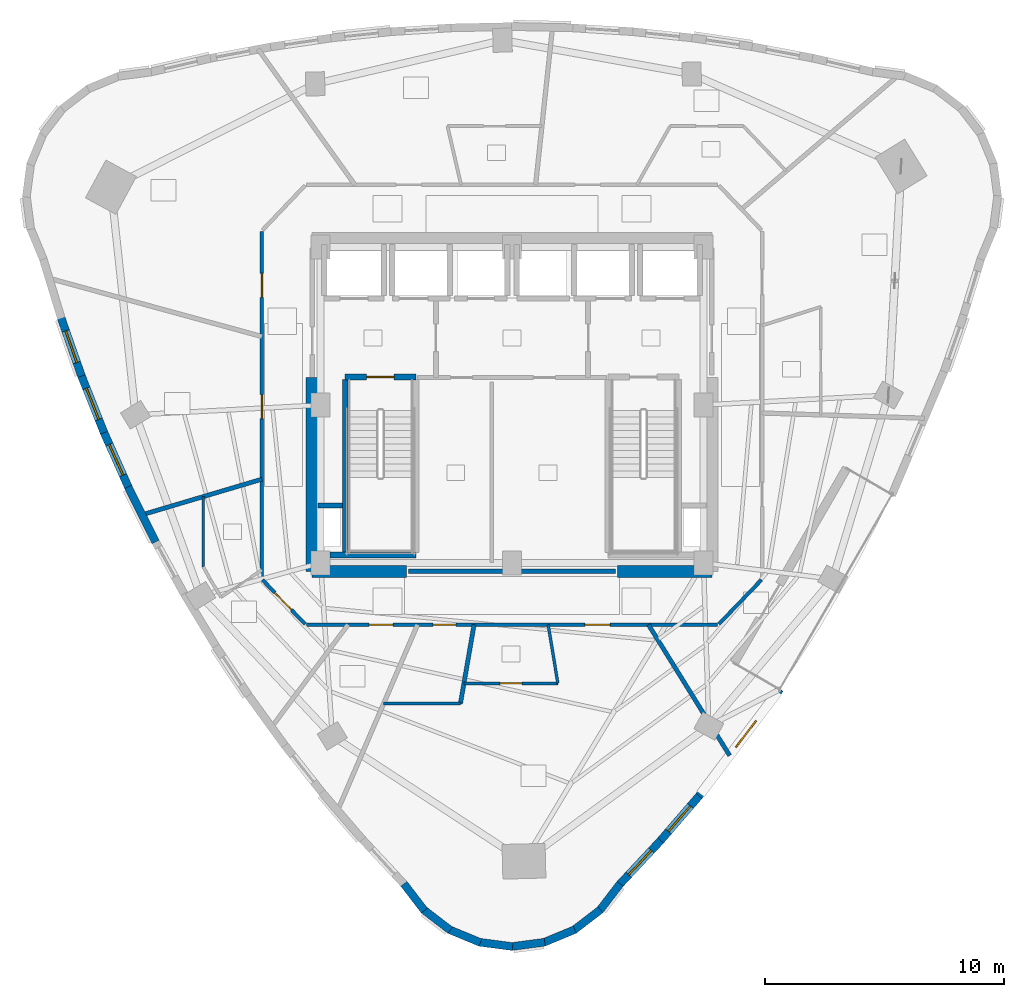
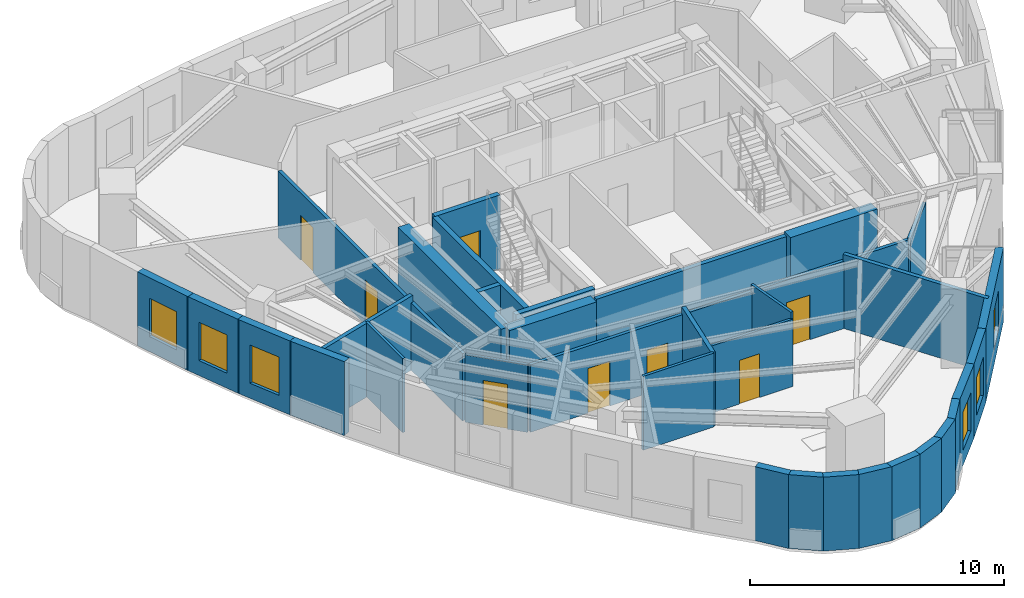
# One storey, part 6 of 12: 34 walls, 8 doors, 6 windows, 14 openings.
"""IFC4 building model written with IfcOpenShell, lengths in metres."""

import ifcopenshell
import ifcopenshell.guid

model = None  # the IFC model being written
_history = None  # IfcOwnerHistory: only IFC2X3 demands one
_inside = {}  # id of a spatial element -> (the spatial element, [elements in it])
_under = {}  # id of a project, library or spatial element -> (it, [spatial elements below it])
_declared = {}  # id of a project -> (the project, [libraries it declares])
_typed = {}  # id of a type object -> (the type object, [elements of that type])
_made_of = {}  # id of a material, layer set ... -> (it, [elements and type objects made of it])


def new_model(schema):
    """Start an empty IFC model of exactly this schema.

    Asked for "IFC4X3", IfcOpenShell would pick the latest addendum, in which some entities
    have other attributes; the version numbers below select the first issue.
    IFC2X3 requires an IfcOwnerHistory on every rooted entity: one is made here for all.
    """
    global model, _history
    if schema == "IFC4X3":
        model = ifcopenshell.file(schema_version=(4, 3, 0, 0))
    else:
        model = ifcopenshell.file(schema=schema)
    _inside.clear()
    _under.clear()
    _declared.clear()
    _typed.clear()
    _made_of.clear()
    _history = None
    if model.schema == "IFC2X3":
        org = make("IfcOrganization", Name="unknown")
        user = make(
            "IfcPersonAndOrganization",
            ThePerson=make("IfcPerson", FamilyName="unknown"),
            TheOrganization=org,
        )
        app = make(
            "IfcApplication",
            ApplicationDeveloper=org,
            Version="unknown",
            ApplicationFullName="unknown",
            ApplicationIdentifier="unknown",
        )
        _history = make(
            "IfcOwnerHistory",
            OwningUser=user,
            OwningApplication=app,
            ChangeAction="ADDED",
            CreationDate=0,
        )
    return model


def make(cls, **values):
    """One entity of the class cls with the attributes given. An attribute that is None is left unset."""
    return model.create_entity(
        cls, **{name: value for name, value in values.items() if value is not None}
    )


def rooted(cls, **values):
    """An entity with a GlobalId (a new one), such as an element, a storey or a relation."""
    return make(cls, GlobalId=ifcopenshell.guid.new(), OwnerHistory=_history, **values)


def si_unit(unit_type, name, prefix=None):
    """IfcSIUnit, for example si_unit("LENGTHUNIT", "METRE", prefix="MILLI")."""
    return make("IfcSIUnit", UnitType=unit_type, Prefix=prefix, Name=name)


def assignment(units):
    """IfcUnitAssignment: the units of a project."""
    return None if units is None else make("IfcUnitAssignment", Units=units)


def point(xyz):
    """IfcCartesianPoint."""
    return None if xyz is None else make("IfcCartesianPoint", Coordinates=xyz)


def direction(xyz):
    """IfcDirection."""
    return None if xyz is None else make("IfcDirection", DirectionRatios=xyz)


def frame(location, z_axis=None, x_axis=None):
    """IfcAxis2Placement3D, a coordinate frame: its origin and axes. An axis left out is left unset."""
    return make(
        "IfcAxis2Placement3D",
        Location=point(location),
        Axis=direction(z_axis),
        RefDirection=direction(x_axis),
    )


def frame_2d(location, x_axis=None):
    """IfcAxis2Placement2D, a coordinate frame in the plane: its origin and x axis."""
    return make(
        "IfcAxis2Placement2D", Location=point(location), RefDirection=direction(x_axis)
    )


def origin():
    """The frame at (0, 0, 0) with its axes left unset."""
    return frame((0.0, 0.0, 0.0))


def place(relative_to, where):
    """IfcLocalPlacement: puts the frame where relative to a parent placement (None: the world)."""
    return make(
        "IfcLocalPlacement", PlacementRelTo=relative_to, RelativePlacement=where
    )


def context(
    kind, dimensions, precision=None, world=None, true_north=None, identifier=None
):
    """IfcGeometricRepresentationContext, for example the 3D "Model" context."""
    return make(
        "IfcGeometricRepresentationContext",
        ContextIdentifier=identifier,
        ContextType=kind,
        CoordinateSpaceDimension=dimensions,
        Precision=precision,
        WorldCoordinateSystem=world,
        TrueNorth=true_north,
    )


def subcontext(parent, identifier, kind, view, scale=None):
    """IfcGeometricRepresentationSubContext, for example "Body" below "Model"."""
    return make(
        "IfcGeometricRepresentationSubContext",
        ContextIdentifier=identifier,
        ContextType=kind,
        ParentContext=parent,
        TargetScale=scale,
        TargetView=view,
    )


def project(units=None, contexts=None):
    """IfcProject with its units and contexts."""
    return rooted(
        "IfcProject",
        Name="project",
        RepresentationContexts=contexts,
        UnitsInContext=assignment(units),
    )


def spatial(cls, under=None, at=None, **own):
    """A site, building, storey or space (cls), placed at a placement, below another one or the project."""
    s = rooted(cls, ObjectPlacement=at, **own)
    if under is not None:
        _under.setdefault(under.id(), (under, []))[1].append(s)
    return s


def profile(cls, at=None, kind="AREA", **sizes):
    """A parametric profile (cls). Its sizes go by their IFC names, for example OverallWidth=200.0."""
    return make(cls, ProfileType=kind, Position=at, **sizes)


def rectangle(**sizes):
    """IfcRectangleProfileDef."""
    return profile("IfcRectangleProfileDef", **sizes)


def extrude(swept, where, along, depth):
    """IfcExtrudedAreaSolid: the profile swept, set in the frame where, extruded along a direction by depth."""
    return make(
        "IfcExtrudedAreaSolid",
        SweptArea=swept,
        Position=where,
        ExtrudedDirection=direction(along),
        Depth=depth,
    )


def shape(context_of_items, identifier, shape_type, items):
    """IfcShapeRepresentation: the items that make up one representation, for example the "Body"."""
    return make(
        "IfcShapeRepresentation",
        ContextOfItems=context_of_items,
        RepresentationIdentifier=identifier,
        RepresentationType=shape_type,
        Items=items,
    )


def material(Name=None, Category=None):
    """IfcMaterial."""
    return make("IfcMaterial", Name=Name, Category=Category)


def layer(
    of_material, thickness, ventilated=None, Name=None, Category=None, Priority=None
):
    """IfcMaterialLayer: one layer of a wall or slab, of a material (None: an air gap)."""
    return make(
        "IfcMaterialLayer",
        Material=of_material,
        LayerThickness=thickness,
        IsVentilated=ventilated,
        Name=Name,
        Category=Category,
        Priority=Priority,
    )


def layer_set(layers, Name=None):
    """IfcMaterialLayerSet."""
    return make("IfcMaterialLayerSet", MaterialLayers=layers, LayerSetName=Name)


def made_of(thing, what):
    """Note that an element or type object is made of a material, layer set ...; save() writes the relation."""
    if what is not None:
        _made_of.setdefault(what.id(), (what, []))[1].append(thing)
    return thing


def type_object(cls, material=None, **own):
    """A type object (cls), such as IfcWallType, which elements share."""
    return made_of(rooted(cls, **own), material)


def element(
    cls,
    number,
    at=None,
    inside=None,
    cuts=None,
    type_object=None,
    material=None,
    context=None,
    identifier="Body",
    shape_type=None,
    held_by="IfcProductDefinitionShape",
    body=None,
    shapes=None,
    **own,
):
    """One element of the class cls, such as IfcWall. Its Tag is "e" and its number.

    at: its placement. inside: the storey or other place that contains it. cuts: it is an
    opening in that element (IfcRelVoidsElement). A single representation is given by context,
    identifier, shape_type and body (its items); several are given by shapes. held_by: the class
    of the entity that holds the representations. save() writes the other relations.
    """
    e = rooted(cls, Tag="e%d" % number, ObjectPlacement=at, **own)
    if body is not None:
        shapes = [shape(context, identifier, shape_type, body)]
    if shapes is not None:
        e.Representation = make(held_by, Representations=shapes)
    if inside is not None:
        _inside.setdefault(inside.id(), (inside, []))[1].append(e)
    if cuts is not None:
        rooted(
            "IfcRelVoidsElement", RelatingBuildingElement=cuts, RelatedOpeningElement=e
        )
    if type_object is not None:
        _typed.setdefault(type_object.id(), (type_object, []))[1].append(e)
    return made_of(e, material)


def fill(opening, filler):
    """IfcRelFillsElement: the door or window that sits in an opening."""
    return rooted(
        "IfcRelFillsElement",
        RelatingOpeningElement=opening,
        RelatedBuildingElement=filler,
    )


def aggregate(whole, parts):
    """IfcRelAggregates: a whole, such as a stair, and the parts it consists of."""
    return rooted("IfcRelAggregates", RelatingObject=whole, RelatedObjects=parts)


def save(model, path):
    """Write the relations noted so far, then the file.

    IfcRelAggregates (storeys below a building ...), IfcRelContainedInSpatialStructure (elements
    in a storey), IfcRelDefinesByType, IfcRelAssociatesMaterial and IfcRelDeclares: one each for
    every whole, place, type object, material and project.
    """
    for whole, parts in _under.values():
        aggregate(whole, parts)
    for where, things in _inside.values():
        rooted(
            "IfcRelContainedInSpatialStructure",
            RelatedElements=things,
            RelatingStructure=where,
        )
    for kind, things in _typed.values():
        rooted("IfcRelDefinesByType", RelatedObjects=things, RelatingType=kind)
    for what, things in _made_of.values():
        rooted("IfcRelAssociatesMaterial", RelatedObjects=things, RelatingMaterial=what)
    for by, libraries in _declared.values():
        rooted("IfcRelDeclares", RelatingContext=by, RelatedDefinitions=libraries)
    model.write(path)


model = new_model("IFC4")

# Units and contexts
model_context = context("Model", 3, precision=1e-05, world=origin(), true_north=direction((0.0, 1.0)))
body_context = subcontext(model_context, "Body", "Model", "MODEL_VIEW")
ifc_project = project(units=[si_unit("LENGTHUNIT", "METRE"), si_unit("AREAUNIT", "SQUARE_METRE"), si_unit("VOLUMEUNIT", "CUBIC_METRE"), si_unit("PLANEANGLEUNIT", "RADIAN"), si_unit("MASSUNIT", "GRAM", prefix="KILO")], contexts=[model_context])

# Site, building, storey
site_placement = place(None, origin())
site = spatial("IfcSite", under=ifc_project, at=site_placement, CompositionType="ELEMENT")
building_placement = place(site_placement, origin())
building = spatial("IfcBuilding", under=site, at=building_placement, Name="Ndelora Gate Hotel", CompositionType="ELEMENT")
storey_placement = place(building_placement, frame((0.0, 0.0, 205.550048828125)))
storey = spatial("IfcBuildingStorey", under=building, at=storey_placement, Name="L51", CompositionType="ELEMENT", Elevation=205.550048828125)

# Walls
ifc_material_1 = material(Name="Acoustic Double-Stud Gypsum Assembly", Category="gypsum")
ifc_layer_1 = layer(ifc_material_1, 0.179931640625)
ifc_layer_set_1 = layer_set([ifc_layer_1], Name="Acoustic Double-Stud Gypsum Assembly")
wall_type_1 = type_object("IfcWallType", Name="WL-ACOUST-180", PredefinedType="PARTITIONING", material=ifc_layer_set_1)
wall_1_placement = place(storey_placement, frame((-1.5849609375, -9.179931640625, 0.0), z_axis=(0.0, 0.0, 1.0), x_axis=(-0.170153481889, -0.985417572708, 0.0)))
element("IfcWall", 1, at=wall_1_placement, inside=storey, type_object=wall_type_1, Name="L51 Interior Wall IW-3", PredefinedType="PARTITIONING", context=body_context, shape_type="SweptSolid", body=[
    extrude(rectangle(XDim=3.348876953125, YDim=0.179931640625, at=frame_2d((1.67431640625, 0.0))), origin(), (0.0, 0.0, 1.0), 3.550048828125),
])
wall_2_placement = place(storey_placement, frame((5.699951171875, -9.179931640625, 0.0), z_axis=(0.0, 0.0, 1.0), x_axis=(0.527494096937, -0.849558695851, 0.0)))
element("IfcWall", 2, at=wall_2_placement, inside=storey, type_object=wall_type_1, Name="L51 Interior Wall IW-3", PredefinedType="PARTITIONING", context=body_context, shape_type="SweptSolid", body=[
    extrude(rectangle(XDim=6.4365234375, YDim=0.179931640625, at=frame_2d((3.21826171875, 0.0))), origin(), (0.0, 0.0, 1.0), 3.550048828125),
])
wall_3_placement = place(storey_placement, frame((-10.449951171875, -3.1015625, 0.0), z_axis=(0.0, 0.0, 1.0), x_axis=(-0.958678324952, -0.284492300894, 0.0)))
element("IfcWall", 3, at=wall_3_placement, inside=storey, type_object=wall_type_1, Name="L51 Interior Wall IW-3", PredefinedType="PARTITIONING", context=body_context, shape_type="SweptSolid", body=[
    extrude(rectangle(XDim=5.226318359375, YDim=0.179931640625, at=frame_2d((2.61328125, 0.0))), origin(), (0.0, 0.0, 1.0), 3.550048828125),
])

# Wall, opening, window
ifc_material_2 = material(Name="Clay Brick Masonry", Category="masonry")
ifc_layer_2 = layer(ifc_material_2, 0.330078125)
ifc_layer_set_2 = layer_set([ifc_layer_2], Name="Clay Brick Masonry")
wall_type_2 = type_object("IfcWallType", Name="WL-BRICK-330", PredefinedType="SOLIDWALL", material=ifc_layer_set_2)
wall_4_placement = place(storey_placement, frame((-17.98681640625, 1.205810546875, 0.0), z_axis=(0.0, 0.0, 1.0), x_axis=(-0.330754550378, 0.94371681526, 0.0)))
wall_4 = element("IfcWall", 4, at=wall_4_placement, inside=storey, type_object=wall_type_2, Name="L51 Tower Brick Pier-and-Spandrel Wall TWR-10", PredefinedType="SOLIDWALL", context=body_context, shape_type="SweptSolid", body=[
    extrude(rectangle(XDim=2.610107421875, YDim=0.330078125, at=frame_2d((1.30517578125, 0.0))), origin(), (0.0, 0.0, 1.0), 3.550048828125),
])
opening_1_placement = place(wall_4_placement, frame((0.60498046875, 0.0, 0.719970703125)))
opening_1 = element("IfcOpeningElement", 5, at=opening_1_placement, cuts=wall_4, Name="Opening W02", PredefinedType="OPENING", context=body_context, shape_type="SweptSolid", body=[
    extrude(rectangle(XDim=1.39990234375, YDim=1.840087890625, at=frame_2d((0.699951171875, 0.919921875))), frame((0.0, 0.175048828125, 0.0), z_axis=(0.0, -1.0, 0.0), x_axis=(1.0, 0.0, 0.0)), (0.0, 0.0, 1.0), 0.35009765625),
])
ifc_material_3 = material(Name="Insulated Low-E Double Glazing in Bronze Aluminium Frame", Category="aluminium")
window_type = type_object("IfcWindowType", Name="WN-DEEP-1400", PartitioningType="SINGLE_PANEL", PredefinedType="WINDOW", material=ifc_material_3)
window_1_placement = place(opening_1_placement, origin())
window_1 = element("IfcWindow", 6, at=window_1_placement, inside=storey, type_object=window_type, Name="L51 Deep-Set Brick-Pier Window W02", OverallHeight=1.840087890625, OverallWidth=1.39990234375, PartitioningType="SINGLE_PANEL", PredefinedType="WINDOW", context=body_context, shape_type="SweptSolid", body=[
    extrude(rectangle(XDim=1.39990234375, YDim=1.840087890625, at=frame_2d((0.699951171875, 0.919921875))), frame((0.0, 0.030029296875, 0.0), z_axis=(0.0, -1.0, 0.0), x_axis=(1.0, 0.0, 0.0)), (0.0, 0.0, 1.0), 0.06005859375),
])
fill(opening_1, window_1)

wall_5_placement = place(storey_placement, frame((-17.048095703125, -1.1572265625, 0.0), z_axis=(0.0, 0.0, 1.0), x_axis=(-0.368872640276, 0.929479948819, 0.0)))
wall_5 = element("IfcWall", 7, at=wall_5_placement, inside=storey, type_object=wall_type_2, Name="L51 Tower Brick Pier-and-Spandrel Wall TWR-11", PredefinedType="SOLIDWALL", context=body_context, shape_type="SweptSolid", body=[
    extrude(rectangle(XDim=2.592529296875, YDim=0.330078125, at=frame_2d((1.29638671875, 0.0))), origin(), (0.0, 0.0, 1.0), 3.550048828125),
])
opening_2_placement = place(wall_5_placement, frame((0.59619140625, 0.0, 0.719970703125)))
opening_2 = element("IfcOpeningElement", 8, at=opening_2_placement, cuts=wall_5, Name="Opening W02", PredefinedType="OPENING", context=body_context, shape_type="SweptSolid", body=[
    extrude(rectangle(XDim=1.39990234375, YDim=1.840087890625, at=frame_2d((0.699951171875, 0.919921875))), frame((0.0, 0.175048828125, 0.0), z_axis=(0.0, -1.0, 0.0), x_axis=(1.0, 0.0, 0.0)), (0.0, 0.0, 1.0), 0.35009765625),
])
window_2_placement = place(opening_2_placement, origin())
window_2 = element("IfcWindow", 9, at=window_2_placement, inside=storey, type_object=window_type, Name="L51 Deep-Set Brick-Pier Window W02", OverallHeight=1.840087890625, OverallWidth=1.39990234375, PartitioningType="SINGLE_PANEL", PredefinedType="WINDOW", context=body_context, shape_type="SweptSolid", body=[
    extrude(rectangle(XDim=1.39990234375, YDim=1.840087890625, at=frame_2d((0.699951171875, 0.919921875))), frame((0.0, 0.030029296875, 0.0), z_axis=(0.0, -1.0, 0.0), x_axis=(1.0, 0.0, 0.0)), (0.0, 0.0, 1.0), 0.06005859375),
])
fill(opening_2, window_2)

wall_6_placement = place(storey_placement, frame((-16.01806640625, -3.46728515625, 0.0), z_axis=(0.0, 0.0, 1.0), x_axis=(-0.40690235828, 0.913471658469, 0.0)))
wall_6 = element("IfcWall", 10, at=wall_6_placement, inside=storey, type_object=wall_type_2, Name="L51 Tower Brick Pier-and-Spandrel Wall TWR-12", PredefinedType="SOLIDWALL", context=body_context, shape_type="SweptSolid", body=[
    extrude(rectangle(XDim=2.579345703125, YDim=0.330078125, at=frame_2d((1.28955078125, 0.0))), origin(), (0.0, 0.0, 1.0), 3.550048828125),
])
opening_3_placement = place(wall_6_placement, frame((0.589599609375, 0.0, 0.719970703125)))
opening_3 = element("IfcOpeningElement", 11, at=opening_3_placement, cuts=wall_6, Name="Opening W02", PredefinedType="OPENING", context=body_context, shape_type="SweptSolid", body=[
    extrude(rectangle(XDim=1.39990234375, YDim=1.840087890625, at=frame_2d((0.699951171875, 0.919921875))), frame((0.0, 0.175048828125, 0.0), z_axis=(0.0, -1.0, 0.0), x_axis=(1.0, 0.0, 0.0)), (0.0, 0.0, 1.0), 0.35009765625),
])
window_3_placement = place(opening_3_placement, origin())
window_3 = element("IfcWindow", 12, at=window_3_placement, inside=storey, type_object=window_type, Name="L51 Deep-Set Brick-Pier Window W02", OverallHeight=1.840087890625, OverallWidth=1.39990234375, PartitioningType="SINGLE_PANEL", PredefinedType="WINDOW", context=body_context, shape_type="SweptSolid", body=[
    extrude(rectangle(XDim=1.39990234375, YDim=1.840087890625, at=frame_2d((0.699951171875, 0.919921875))), frame((0.0, 0.030029296875, 0.0), z_axis=(0.0, -1.0, 0.0), x_axis=(1.0, 0.0, 0.0)), (0.0, 0.0, 1.0), 0.06005859375),
])
fill(opening_3, window_3)

# Walls
wall_7_placement = place(storey_placement, frame((-14.896484375, -5.724609375, 0.0), z_axis=(0.0, 0.0, 1.0), x_axis=(-0.444590292188, 0.895734040936, 0.0)))
element("IfcWall", 13, at=wall_7_placement, inside=storey, type_object=wall_type_2, Name="L51 Tower Brick Pier-and-Spandrel Wall TWR-13", PredefinedType="SOLIDWALL", context=body_context, shape_type="SweptSolid", body=[
    extrude(rectangle(XDim=2.570556640625, YDim=0.330078125, at=frame_2d((1.28515625, 0.0))), origin(), (0.0, 0.0, 1.0), 3.550048828125),
])
wall_8_placement = place(storey_placement, frame((-3.661865234375, -21.125, 0.0), z_axis=(0.0, 0.0, 1.0), x_axis=(-0.608762923213, 0.793352193746, 0.0)))
element("IfcWall", 14, at=wall_8_placement, inside=storey, type_object=wall_type_2, Name="L51 Tower Brick Pier-and-Spandrel Wall TWR-21", PredefinedType="SOLIDWALL", context=body_context, shape_type="SweptSolid", body=[
    extrude(rectangle(XDim=1.4072265625, YDim=0.330078125, at=frame_2d((0.70361328125, 0.0))), origin(), (0.0, 0.0, 1.0), 3.550048828125),
])
for number, where, z_axis, x_axis, name in (
    (15, (-2.580078125, -21.94677734375, 0.0), (0.0, 0.0, 1.0), (-0.793416473107, 0.608679143886, 0.0), "L51 Tower Brick Pier-and-Spandrel Wall TWR-22"),
    (16, (-1.32275390625, -22.460693359375, 0.0), (0.0, 0.0, 1.0), (-0.923885753275, 0.382668413767, 0.0), "L51 Tower Brick Pier-and-Spandrel Wall TWR-23"),
    (17, (0.02490234375, -22.631591796875, 0.0), (0.0, 0.0, 1.0), (-0.991434211429, 0.130607061093, 0.0), "L51 Tower Brick Pier-and-Spandrel Wall TWR-24"),
    (18, (1.37060546875, -22.44775390625, 0.0), (0.0, 0.0, 1.0), (-0.991434211429, -0.130607061093, 0.0), "L51 Tower Brick Pier-and-Spandrel Wall TWR-25"),
    (19, (2.623046875, -21.922119140625, 0.0), (0.0, 0.0, 1.0), (-0.923885753275, -0.382668413767, 0.0), "L51 Tower Brick Pier-and-Spandrel Wall TWR-26"),
    (20, (3.69677734375, -21.090087890625, 0.0), (0.0, 0.0, 1.0), (-0.793416473107, -0.608679143886, 0.0), "L51 Tower Brick Pier-and-Spandrel Wall TWR-27"),
):
    element("IfcWall", number, at=place(storey_placement, frame(where, z_axis=z_axis, x_axis=x_axis)), inside=storey, type_object=wall_type_2, Name=name, PredefinedType="SOLIDWALL", context=body_context, shape_type="SweptSolid", body=[
        extrude(rectangle(XDim=1.407470703125, YDim=0.330078125, at=frame_2d((0.70361328125, 0.0))), origin(), (0.0, 0.0, 1.0), 3.550048828125),
    ])
wall_9_placement = place(storey_placement, frame((4.5185546875, -20.008544921875, 0.0), z_axis=(0.0, 0.0, 1.0), x_axis=(-0.608762923213, -0.793352193746, 0.0)))
element("IfcWall", 21, at=wall_9_placement, inside=storey, type_object=wall_type_2, Name="L51 Tower Brick Pier-and-Spandrel Wall TWR-28", PredefinedType="SOLIDWALL", context=body_context, shape_type="SweptSolid", body=[
    extrude(rectangle(XDim=1.4072265625, YDim=0.330078125, at=frame_2d((0.70361328125, 0.0))), origin(), (0.0, 0.0, 1.0), 3.550048828125),
])

# Wall, opening, window
wall_10_placement = place(storey_placement, frame((6.21240234375, -18.1982421875, 0.0), z_axis=(0.0, 0.0, 1.0), x_axis=(-0.68256240295, -0.730827316183, 0.0)))
wall_10 = element("IfcWall", 22, at=wall_10_placement, inside=storey, type_object=wall_type_2, Name="L51 Tower Brick Pier-and-Spandrel Wall TWR-29", PredefinedType="SOLIDWALL", context=body_context, shape_type="SweptSolid", body=[
    extrude(rectangle(XDim=2.529052734375, YDim=0.330078125, at=frame_2d((1.2646484375, 0.0))), origin(), (0.0, 0.0, 1.0), 3.550048828125),
])
opening_4_placement = place(wall_10_placement, frame((0.564453125, 0.0, 0.719970703125)))
opening_4 = element("IfcOpeningElement", 23, at=opening_4_placement, cuts=wall_10, Name="Opening W02", PredefinedType="OPENING", context=body_context, shape_type="SweptSolid", body=[
    extrude(rectangle(XDim=1.39990234375, YDim=1.840087890625, at=frame_2d((0.699951171875, 0.919921875))), frame((0.0, 0.175048828125, 0.0), z_axis=(0.0, -1.0, 0.0), x_axis=(1.0, 0.0, 0.0)), (0.0, 0.0, 1.0), 0.35009765625),
])
window_4_placement = place(opening_4_placement, origin())
window_4 = element("IfcWindow", 24, at=window_4_placement, inside=storey, type_object=window_type, Name="L51 Deep-Set Brick-Pier Window W02", OverallHeight=1.840087890625, OverallWidth=1.39990234375, PartitioningType="SINGLE_PANEL", PredefinedType="WINDOW", context=body_context, shape_type="SweptSolid", body=[
    extrude(rectangle(XDim=1.39990234375, YDim=1.840087890625, at=frame_2d((0.699951171875, 0.919921875))), frame((0.0, 0.030029296875, 0.0), z_axis=(0.0, -1.0, 0.0), x_axis=(1.0, 0.0, 0.0)), (0.0, 0.0, 1.0), 0.06005859375),
])
fill(opening_4, window_4)

wall_11_placement = place(storey_placement, frame((7.819091796875, -16.33740234375, 0.0), z_axis=(0.0, 0.0, 1.0), x_axis=(-0.653799751014, -0.756667618954, 0.0)))
wall_11 = element("IfcWall", 25, at=wall_11_placement, inside=storey, type_object=wall_type_2, Name="L51 Tower Brick Pier-and-Spandrel Wall TWR-30", PredefinedType="SOLIDWALL", context=body_context, shape_type="SweptSolid", body=[
    extrude(rectangle(XDim=2.508544921875, YDim=0.330078125, at=frame_2d((1.25439453125, 0.0))), origin(), (0.0, 0.0, 1.0), 3.550048828125),
])
opening_5_placement = place(wall_11_placement, frame((0.554443359375, 0.0, 0.719970703125)))
opening_5 = element("IfcOpeningElement", 26, at=opening_5_placement, cuts=wall_11, Name="Opening W02", PredefinedType="OPENING", context=body_context, shape_type="SweptSolid", body=[
    extrude(rectangle(XDim=1.39990234375, YDim=1.840087890625, at=frame_2d((0.699951171875, 0.919921875))), frame((0.0, 0.175048828125, 0.0), z_axis=(0.0, -1.0, 0.0), x_axis=(1.0, 0.0, 0.0)), (0.0, 0.0, 1.0), 0.35009765625),
])
window_5_placement = place(opening_5_placement, origin())
window_5 = element("IfcWindow", 27, at=window_5_placement, inside=storey, type_object=window_type, Name="L51 Deep-Set Brick-Pier Window W02", OverallHeight=1.840087890625, OverallWidth=1.39990234375, PartitioningType="SINGLE_PANEL", PredefinedType="WINDOW", context=body_context, shape_type="SweptSolid", body=[
    extrude(rectangle(XDim=1.39990234375, YDim=1.840087890625, at=frame_2d((0.699951171875, 0.919921875))), frame((0.0, 0.030029296875, 0.0), z_axis=(0.0, -1.0, 0.0), x_axis=(1.0, 0.0, 0.0)), (0.0, 0.0, 1.0), 0.06005859375),
])
fill(opening_5, window_5)

wall_12_placement = place(storey_placement, frame((11.200927734375, -11.865478515625, 0.0), z_axis=(0.0, 0.0, 1.0), x_axis=(-0.603392230828, -0.797444553418, 0.0)))
wall_12 = element("IfcWall", 28, at=wall_12_placement, inside=storey, type_object=wall_type_2, Name="L51 Tower Brick Pier-and-Spandrel Wall TWR-31", PredefinedType="SOLIDWALL", context=body_context, shape_type="SweptSolid", body=[
    extrude(rectangle(XDim=5.656494140625, YDim=0.330078125, at=frame_2d((2.828125, 0.0))), origin(), (0.0, 0.0, 1.0), 3.550048828125),
])
opening_6_placement = place(wall_12_placement, frame((1.659912109375, 0.0, 0.719970703125)))
opening_6 = element("IfcOpeningElement", 29, at=opening_6_placement, cuts=wall_12, Name="Opening W02", PredefinedType="OPENING", context=body_context, shape_type="SweptSolid", body=[
    extrude(rectangle(XDim=1.39990234375, YDim=1.8798828125, at=frame_2d((0.699951171875, 0.93994140625))), frame((0.0, 0.175048828125, 0.0), z_axis=(0.0, -1.0, 0.0), x_axis=(1.0, 0.0, 0.0)), (0.0, 0.0, 1.0), 0.35009765625),
])
window_6_placement = place(opening_6_placement, origin())
window_6 = element("IfcWindow", 30, at=window_6_placement, inside=storey, type_object=window_type, Name="L51 Deep-Set Brick-Pier Window W02", OverallHeight=1.8798828125, OverallWidth=1.39990234375, PartitioningType="SINGLE_PANEL", PredefinedType="WINDOW", context=body_context, shape_type="SweptSolid", body=[
    extrude(rectangle(XDim=1.39990234375, YDim=1.8798828125, at=frame_2d((0.699951171875, 0.93994140625))), frame((0.0, 0.030029296875, 0.0), z_axis=(0.0, -1.0, 0.0), x_axis=(1.0, 0.0, 0.0)), (0.0, 0.0, 1.0), 0.06005859375),
])
fill(opening_6, window_6)

# Walls
ifc_material_4 = material(Name="Concrete C50/60", Category="concrete")
ifc_layer_3 = layer(ifc_material_4, 0.5)
ifc_layer_set_3 = layer_set([ifc_layer_3], Name="Concrete C50/60")
wall_type_3 = type_object("IfcWallType", Name="WL-CORE-500", PredefinedType="SHEAR", material=ifc_layer_set_3)
for number, where, z_axis, x_axis, name in (
    (31, (-8.35009765625, -6.949951171875, 0.0), (0.0, 0.0, 1.0), (1.0, 0.0, 0.0), "L51 Core Shear Wall S-W"),
    (32, (4.39990234375, -6.949951171875, 0.0), (0.0, 0.0, 1.0), (1.0, 0.0, 0.0), "L51 Core Shear Wall S-E"),
):
    element("IfcWall", number, at=place(storey_placement, frame(where, z_axis=z_axis, x_axis=x_axis)), inside=storey, type_object=wall_type_3, Name=name, PredefinedType="SHEAR", context=body_context, shape_type="SweptSolid", body=[
        extrude(rectangle(XDim=3.9501953125, YDim=0.5, at=frame_2d((1.97509765625, 0.0))), origin(), (0.0, 0.0, 1.0), 3.550048828125),
    ])
wall_13_placement = place(storey_placement, frame((-8.35009765625, -6.949951171875, 0.0), z_axis=(0.0, 0.0, 1.0), x_axis=(0.0, 1.0, 0.0)))
element("IfcWall", 33, at=wall_13_placement, inside=storey, type_object=wall_type_3, Name="L51 Core Shear Wall W", PredefinedType="SHEAR", context=body_context, shape_type="SweptSolid", body=[
    extrude(rectangle(XDim=8.099853515625, YDim=0.5, at=frame_2d((4.0498046875, 0.0))), origin(), (0.0, 0.0, 1.0), 3.550048828125),
])
ifc_material_5 = material(Name="Concrete C40/50", Category="concrete")
ifc_layer_4 = layer(ifc_material_5, 0.199951171875)
ifc_layer_set_4 = layer_set([ifc_layer_4], Name="Concrete C40/50")
wall_type_4 = type_object("IfcWallType", Name="WL-FIRE-200", PredefinedType="PARTITIONING", material=ifc_layer_set_4)
wall_14_placement = place(storey_placement, frame((-4.320068359375, -6.949951171875, 0.0), z_axis=(0.0, 0.0, 1.0), x_axis=(1.0, 0.0, 0.0)))
element("IfcWall", 34, at=wall_14_placement, inside=storey, type_object=wall_type_4, Name="L51 Interior Wall IW-2", PredefinedType="PARTITIONING", context=body_context, shape_type="SweptSolid", body=[
    extrude(rectangle(XDim=8.64013671875, YDim=0.199951171875, at=frame_2d((4.320068359375, 0.0))), origin(), (0.0, 0.0, 1.0), 3.550048828125),
])

# Wall, openings, doors
ifc_material_6 = material(Name="Fire-Rated Gypsum Stud Partition", Category="gypsum")
ifc_layer_5 = layer(ifc_material_6, 0.14990234375)
ifc_layer_set_5 = layer_set([ifc_layer_5], Name="Fire-Rated Gypsum Stud Partition")
wall_type_5 = type_object("IfcWallType", Name="WL-PART-150", PredefinedType="PARTITIONING", material=ifc_layer_set_5)
wall_15_placement = place(storey_placement, frame((8.580078125, -9.179931640625, 0.0), z_axis=(0.0, 0.0, 1.0), x_axis=(-1.0, 0.0, 0.0)))
wall_15 = element("IfcWall", 35, at=wall_15_placement, inside=storey, type_object=wall_type_5, Name="L51 Interior Wall IW-5", PredefinedType="PARTITIONING", context=body_context, shape_type="SweptSolid", body=[
    extrude(rectangle(XDim=17.16015625, YDim=0.14990234375, at=frame_2d((8.580078125, 0.0))), origin(), (0.0, 0.0, 1.0), 3.22998046875),
])
opening_7_placement = place(wall_15_placement, frame((10.927978515625, 0.0, 0.0)))
opening_7 = element("IfcOpeningElement", 36, at=opening_7_placement, cuts=wall_15, Name="Opening D05", PredefinedType="OPENING", context=body_context, shape_type="SweptSolid", body=[
    extrude(rectangle(XDim=0.949951171875, YDim=2.10009765625, at=frame_2d((0.47509765625, 1.050048828125))), frame((0.0, 0.0849609375, 0.0), z_axis=(0.0, -1.0, 0.0), x_axis=(1.0, 0.0, 0.0)), (0.0, 0.0, 1.0), 0.169921875),
])
opening_8_placement = place(wall_15_placement, frame((13.548828125, 0.0, 0.0)))
opening_8 = element("IfcOpeningElement", 37, at=opening_8_placement, cuts=wall_15, Name="Opening D01", PredefinedType="OPENING", context=body_context, shape_type="SweptSolid", body=[
    extrude(rectangle(XDim=1.0, YDim=2.14990234375, at=frame_2d((0.5, 1.074951171875))), frame((0.0, 0.0849609375, 0.0), z_axis=(0.0, -1.0, 0.0), x_axis=(1.0, 0.0, 0.0)), (0.0, 0.0, 1.0), 0.169921875),
])
opening_9_placement = place(wall_15_placement, frame((4.47900390625, 0.0, 0.0)))
opening_9 = element("IfcOpeningElement", 38, at=opening_9_placement, cuts=wall_15, Name="Opening D07", PredefinedType="OPENING", context=body_context, shape_type="SweptSolid", body=[
    extrude(rectangle(XDim=1.06005859375, YDim=2.14990234375, at=frame_2d((0.530029296875, 1.074951171875))), frame((0.0, 0.0849609375, 0.0), z_axis=(0.0, -1.0, 0.0), x_axis=(1.0, 0.0, 0.0)), (0.0, 0.0, 1.0), 0.169921875),
])
ifc_material_7 = material(Name="Accessible Restroom Wide-Clearance Door", Category="wood")
door_type_1 = type_object("IfcDoorType", Name="DR-ACC-950", OperationType="SINGLE_SWING_LEFT", PredefinedType="DOOR", material=ifc_material_7)
door_1_placement = place(opening_7_placement, origin())
door_1 = element("IfcDoor", 39, at=door_1_placement, inside=storey, type_object=door_type_1, Name="L51 Accessible WC Entrance Door", OperationType="SINGLE_SWING_RIGHT", OverallHeight=2.10009765625, OverallWidth=0.949951171875, PredefinedType="DOOR", context=body_context, shape_type="SweptSolid", body=[
    extrude(rectangle(XDim=0.949951171875, YDim=2.10009765625, at=frame_2d((0.47509765625, 1.050048828125))), frame((0.0, 0.02490234375, 0.0), z_axis=(0.0, -1.0, 0.0), x_axis=(1.0, 0.0, 0.0)), (0.0, 0.0, 1.0), 0.050048828125),
])
fill(opening_7, door_1)
ifc_material_8 = material(Name="Acoustic Hardwood Guest Entrance Door", Category="wood")
door_type_2 = type_object("IfcDoorType", Name="DR-COR-1000", OperationType="SINGLE_SWING_LEFT", PredefinedType="DOOR", material=ifc_material_8)
door_2_placement = place(opening_8_placement, origin())
door_2 = element("IfcDoor", 40, at=door_2_placement, inside=storey, type_object=door_type_2, Name="L51 Housekeeping and Linen Room Entrance Door", OperationType="SINGLE_SWING_LEFT", OverallHeight=2.14990234375, OverallWidth=1.0, PredefinedType="DOOR", context=body_context, shape_type="SweptSolid", body=[
    extrude(rectangle(XDim=1.0, YDim=2.14990234375, at=frame_2d((0.5, 1.074951171875))), frame((0.0, 0.02490234375, 0.0), z_axis=(0.0, -1.0, 0.0), x_axis=(1.0, 0.0, 0.0)), (0.0, 0.0, 1.0), 0.050048828125),
])
fill(opening_8, door_2)
ifc_material_9 = material(Name="Diplomatic Suite Acoustic Entrance Door", Category="wood")
door_type_3 = type_object("IfcDoorType", Name="DR-SUITE-1060", OperationType="SINGLE_SWING_LEFT", PredefinedType="DOOR", material=ifc_material_9)
door_3_placement = place(opening_9_placement, origin())
door_3 = element("IfcDoor", 41, at=door_3_placement, inside=storey, type_object=door_type_3, Name="L51 Corner Conservatory Suite 5401 Entrance Door", OperationType="SINGLE_SWING_LEFT", OverallHeight=2.14990234375, OverallWidth=1.06005859375, PredefinedType="DOOR", context=body_context, shape_type="SweptSolid", body=[
    extrude(rectangle(XDim=1.06005859375, YDim=2.14990234375, at=frame_2d((0.530029296875, 1.074951171875))), frame((0.0, 0.02490234375, 0.0), z_axis=(0.0, -1.0, 0.0), x_axis=(1.0, 0.0, 0.0)), (0.0, 0.0, 1.0), 0.050048828125),
])
fill(opening_9, door_3)

# Wall
wall_16_placement = place(storey_placement, frame((10.42236328125, -7.308837890625, 0.0), z_axis=(0.0, 0.0, 1.0), x_axis=(-0.693764562202, -0.720201869085, 0.0)))
element("IfcWall", 42, at=wall_16_placement, inside=storey, type_object=wall_type_5, Name="L51 Interior Wall IW-5", PredefinedType="PARTITIONING", context=body_context, shape_type="SweptSolid", body=[
    extrude(rectangle(XDim=2.55810546875, YDim=0.14990234375, at=frame_2d((1.279052734375, 0.0))), origin(), (0.0, 0.0, 1.0), 3.22998046875),
])

# Wall, openings, doors
wall_17_placement = place(storey_placement, frame((-10.449951171875, -7.239990234375, 0.0), z_axis=(0.0, 0.0, 1.0), x_axis=(0.0, 1.0, 0.0)))
wall_17 = element("IfcWall", 43, at=wall_17_placement, inside=storey, type_object=wall_type_5, Name="L51 Interior Wall IW-5", PredefinedType="PARTITIONING", context=body_context, shape_type="SweptSolid", body=[
    extrude(rectangle(XDim=14.47998046875, YDim=0.14990234375, at=frame_2d((7.239990234375, 0.0))), origin(), (0.0, 0.0, 1.0), 3.22998046875),
])
opening_10_placement = place(wall_17_placement, frame((6.668701171875, 0.0, 0.0)))
opening_10 = element("IfcOpeningElement", 44, at=opening_10_placement, cuts=wall_17, Name="Opening D01", PredefinedType="OPENING", context=body_context, shape_type="SweptSolid", body=[
    extrude(rectangle(XDim=1.0, YDim=2.14990234375, at=frame_2d((0.5, 1.074951171875))), frame((0.0, 0.0849609375, 0.0), z_axis=(0.0, -1.0, 0.0), x_axis=(1.0, 0.0, 0.0)), (0.0, 0.0, 1.0), 0.169921875),
])
opening_11_placement = place(wall_17_placement, frame((11.739990234375, 0.0, 0.0)))
opening_11 = element("IfcOpeningElement", 45, at=opening_11_placement, cuts=wall_17, Name="Opening D01", PredefinedType="OPENING", context=body_context, shape_type="SweptSolid", body=[
    extrude(rectangle(XDim=1.0, YDim=2.14990234375, at=frame_2d((0.5, 1.074951171875))), frame((0.0, 0.0849609375, 0.0), z_axis=(0.0, -1.0, 0.0), x_axis=(1.0, 0.0, 0.0)), (0.0, 0.0, 1.0), 0.169921875),
])
door_4_placement = place(opening_10_placement, origin())
door_4 = element("IfcDoor", 46, at=door_4_placement, inside=storey, type_object=door_type_2, Name="L51 Sommelier Wine Kitchen Entrance Door", OperationType="SINGLE_SWING_LEFT", OverallHeight=2.14990234375, OverallWidth=1.0, PredefinedType="DOOR", context=body_context, shape_type="SweptSolid", body=[
    extrude(rectangle(XDim=1.0, YDim=2.14990234375, at=frame_2d((0.5, 1.074951171875))), frame((0.0, 0.02490234375, 0.0), z_axis=(0.0, -1.0, 0.0), x_axis=(1.0, 0.0, 0.0)), (0.0, 0.0, 1.0), 0.050048828125),
])
fill(opening_10, door_4)
door_5_placement = place(opening_11_placement, origin())
door_5 = element("IfcDoor", 47, at=door_5_placement, inside=storey, type_object=door_type_2, Name="L51 Private Banquet Dining Room Entrance Door", OperationType="SINGLE_SWING_RIGHT", OverallHeight=2.14990234375, OverallWidth=1.0, PredefinedType="DOOR", context=body_context, shape_type="SweptSolid", body=[
    extrude(rectangle(XDim=1.0, YDim=2.14990234375, at=frame_2d((0.5, 1.074951171875))), frame((0.0, 0.02490234375, 0.0), z_axis=(0.0, -1.0, 0.0), x_axis=(1.0, 0.0, 0.0)), (0.0, 0.0, 1.0), 0.050048828125),
])
fill(opening_11, door_5)

# Wall, opening, door
wall_18_placement = place(storey_placement, frame((-8.647705078125, -9.151123046875, 0.0), z_axis=(0.0, 0.0, 1.0), x_axis=(-0.693764562202, 0.720201869085, 0.0)))
wall_18 = element("IfcWall", 48, at=wall_18_placement, inside=storey, type_object=wall_type_5, Name="L51 Interior Wall IW-5", PredefinedType="PARTITIONING", context=body_context, shape_type="SweptSolid", body=[
    extrude(rectangle(XDim=2.55810546875, YDim=0.14990234375, at=frame_2d((1.279052734375, 0.0))), origin(), (0.0, 0.0, 1.0), 3.22998046875),
])
opening_12_placement = place(wall_18_placement, frame((0.819091796875, 0.0, 0.0)))
opening_12 = element("IfcOpeningElement", 49, at=opening_12_placement, cuts=wall_18, Name="Opening D01", PredefinedType="OPENING", context=body_context, shape_type="SweptSolid", body=[
    extrude(rectangle(XDim=1.0, YDim=2.14990234375, at=frame_2d((0.5, 1.074951171875))), frame((0.0, 0.0849609375, 0.0), z_axis=(0.0, -1.0, 0.0), x_axis=(1.0, 0.0, 0.0)), (0.0, 0.0, 1.0), 0.169921875),
])
door_6_placement = place(opening_12_placement, origin())
door_6 = element("IfcDoor", 50, at=door_6_placement, inside=storey, type_object=door_type_2, Name="L51 Altitude King Guest Room 5405 Entrance Door", OperationType="SINGLE_SWING_RIGHT", OverallHeight=2.14990234375, OverallWidth=1.0, PredefinedType="DOOR", context=body_context, shape_type="SweptSolid", body=[
    extrude(rectangle(XDim=1.0, YDim=2.14990234375, at=frame_2d((0.5, 1.074951171875))), frame((0.0, 0.02490234375, 0.0), z_axis=(0.0, -1.0, 0.0), x_axis=(1.0, 0.0, 0.0)), (0.0, 0.0, 1.0), 0.050048828125),
])
fill(opening_12, door_6)

# Walls
ifc_layer_6 = layer(ifc_material_5, 0.219970703125)
ifc_layer_set_6 = layer_set([ifc_layer_6], Name="Concrete C40/50")
wall_type_6 = type_object("IfcWallType", Name="WL-SHAFT-220", PredefinedType="PARTITIONING", material=ifc_layer_set_6)
wall_19_placement = place(storey_placement, frame((-8.10009765625, -4.199951171875, 0.0), z_axis=(0.0, 0.0, 1.0), x_axis=(1.0, 0.0, 0.0)))
element("IfcWall", 51, at=wall_19_placement, inside=storey, type_object=wall_type_6, Name="L51 Interior Wall IW-1", PredefinedType="PARTITIONING", context=body_context, shape_type="SweptSolid", body=[
    extrude(rectangle(XDim=1.010009765625, YDim=0.219970703125, at=frame_2d((0.5048828125, 0.0))), origin(), (0.0, 0.0, 1.0), 3.550048828125),
])
ifc_layer_7 = layer(ifc_material_4, 0.239990234375)
ifc_layer_set_7 = layer_set([ifc_layer_7], Name="Concrete C50/60")
wall_type_7 = type_object("IfcWallType", Name="WL-STAIR-240", PredefinedType="SHEAR", material=ifc_layer_set_7)
wall_20_placement = place(storey_placement, frame((-6.969970703125, -6.159912109375, 0.0), z_axis=(0.0, 0.0, 1.0), x_axis=(0.0, 1.0, 0.0)))
element("IfcWall", 52, at=wall_20_placement, inside=storey, type_object=wall_type_7, Name="L51 Stair Core Shear Wall SW-ST", PredefinedType="SHEAR", context=body_context, shape_type="SweptSolid", body=[
    extrude(rectangle(XDim=7.219970703125, YDim=0.239990234375, at=frame_2d((3.60986328125, 0.0))), origin(), (0.0, 0.0, 1.0), 3.550048828125),
])
wall_21_placement = place(storey_placement, frame((-7.60009765625, -6.27001953125, 0.0), z_axis=(0.0, 0.0, 1.0), x_axis=(1.0, 0.0, 0.0)))
element("IfcWall", 53, at=wall_21_placement, inside=storey, type_object=wall_type_7, Name="L51 Stair Core Shear Wall SW-ST", PredefinedType="SHEAR", context=body_context, shape_type="SweptSolid", body=[
    extrude(rectangle(XDim=3.590087890625, YDim=0.239990234375, at=frame_2d((1.794921875, 0.0))), origin(), (0.0, 0.0, 1.0), 3.550048828125),
])

# Wall, opening, door
wall_22_placement = place(storey_placement, frame((-6.969970703125, 1.169921875, 0.0), z_axis=(0.0, 0.0, 1.0), x_axis=(1.0, 0.0, 0.0)))
wall_22 = element("IfcWall", 54, at=wall_22_placement, inside=storey, type_object=wall_type_7, Name="L51 Stair Core Shear Wall SW-ST", PredefinedType="SHEAR", context=body_context, shape_type="SweptSolid", body=[
    extrude(rectangle(XDim=2.9599609375, YDim=0.239990234375, at=frame_2d((1.47998046875, 0.0))), origin(), (0.0, 0.0, 1.0), 3.550048828125),
])
opening_13_placement = place(wall_22_placement, frame((0.89990234375, 0.0, 0.0)))
opening_13 = element("IfcOpeningElement", 55, at=opening_13_placement, cuts=wall_22, Name="Opening FD1", PredefinedType="OPENING", context=body_context, shape_type="SweptSolid", body=[
    extrude(rectangle(XDim=1.14990234375, YDim=2.14990234375, at=frame_2d((0.574951171875, 1.074951171875))), frame((0.0, 0.1298828125, 0.0), z_axis=(0.0, -1.0, 0.0), x_axis=(1.0, 0.0, 0.0)), (0.0, 0.0, 1.0), 0.260009765625),
])
ifc_material_10 = material(Name="Fire-Rated Timber-Veneer Steel Core", Category="steel")
door_type_4 = type_object("IfcDoorType", Name="DR-FD60", OperationType="SINGLE_SWING_LEFT", PredefinedType="DOOR", material=ifc_material_10)
door_7_placement = place(opening_13_placement, origin())
door_7 = element("IfcDoor", 56, at=door_7_placement, inside=storey, type_object=door_type_4, Name="L51 Exit Stair ST4 Door", OperationType="SINGLE_SWING_LEFT", OverallHeight=2.14990234375, OverallWidth=1.14990234375, PredefinedType="DOOR", context=body_context, shape_type="SweptSolid", body=[
    extrude(rectangle(XDim=1.14990234375, YDim=2.14990234375, at=frame_2d((0.574951171875, 1.074951171875))), frame((0.0, 0.02490234375, 0.0), z_axis=(0.0, -1.0, 0.0), x_axis=(1.0, 0.0, 0.0)), (0.0, 0.0, 1.0), 0.050048828125),
])
fill(opening_13, door_7)

# Wall
ifc_material_11 = material(Name="Moisture-Resistant Bathroom Tile Partition", Category="gypsum")
ifc_layer_8 = layer(ifc_material_11, 0.1201171875)
ifc_layer_set_8 = layer_set([ifc_layer_8], Name="Moisture-Resistant Bathroom Tile Partition")
wall_type_8 = type_object("IfcWallType", Name="WL-WET-120", PredefinedType="PARTITIONING", material=ifc_layer_set_8)
wall_23_placement = place(storey_placement, frame((1.916015625, -11.6298828125, 0.0), z_axis=(0.0, 0.0, 1.0), x_axis=(-0.162628879968, 0.986687309841, 0.0)))
element("IfcWall", 57, at=wall_23_placement, inside=storey, type_object=wall_type_8, Name="L51 Interior Wall IW-7", PredefinedType="PARTITIONING", context=body_context, shape_type="SweptSolid", body=[
    extrude(rectangle(XDim=2.48291015625, YDim=0.1201171875, at=frame_2d((1.241455078125, 0.0))), origin(), (0.0, 0.0, 1.0), 3.550048828125),
])

# Wall, opening, door
wall_24_placement = place(storey_placement, frame((1.916015625, -11.6298828125, 0.0), z_axis=(0.0, 0.0, 1.0), x_axis=(-1.0, 0.0, 0.0)))
wall_24 = element("IfcWall", 58, at=wall_24_placement, inside=storey, type_object=wall_type_8, Name="L51 Interior Wall IW-7", PredefinedType="PARTITIONING", context=body_context, shape_type="SweptSolid", body=[
    extrude(rectangle(XDim=3.924072265625, YDim=0.1201171875, at=frame_2d((1.9619140625, 0.0))), origin(), (0.0, 0.0, 1.0), 3.22998046875),
])
opening_14_placement = place(wall_24_placement, frame((1.501953125, 0.0, 0.0)))
opening_14 = element("IfcOpeningElement", 59, at=opening_14_placement, cuts=wall_24, Name="Opening D03", PredefinedType="OPENING", context=body_context, shape_type="SweptSolid", body=[
    extrude(rectangle(XDim=0.919921875, YDim=2.10009765625, at=frame_2d((0.4599609375, 1.050048828125))), frame((0.0, 0.070068359375, 0.0), z_axis=(0.0, -1.0, 0.0), x_axis=(1.0, 0.0, 0.0)), (0.0, 0.0, 1.0), 0.14013671875),
])
ifc_material_12 = material(Name="Moisture-Resistant Hardwood En-Suite Door", Category="wood")
door_type_5 = type_object("IfcDoorType", Name="DR-BATH-920", OperationType="SINGLE_SWING_LEFT", PredefinedType="DOOR", material=ifc_material_12)
door_8_placement = place(opening_14_placement, origin())
door_8 = element("IfcDoor", 60, at=door_8_placement, inside=storey, type_object=door_type_5, Name="L51 En-suite Bathroom 5401 Door", OperationType="SINGLE_SWING_RIGHT", OverallHeight=2.10009765625, OverallWidth=0.919921875, PredefinedType="DOOR", context=body_context, shape_type="SweptSolid", body=[
    extrude(rectangle(XDim=0.919921875, YDim=2.10009765625, at=frame_2d((0.4599609375, 1.050048828125))), frame((0.0, 0.02490234375, 0.0), z_axis=(0.0, -1.0, 0.0), x_axis=(1.0, 0.0, 0.0)), (0.0, 0.0, 1.0), 0.050048828125),
])
fill(opening_14, door_8)

# Walls
wall_25_placement = place(storey_placement, frame((-12.89990234375, -3.82861328125, 0.0), z_axis=(0.0, 0.0, 1.0), x_axis=(0.0, -1.0, 0.0)))
element("IfcWall", 61, at=wall_25_placement, inside=storey, type_object=wall_type_8, Name="L51 Interior Wall IW-7", PredefinedType="PARTITIONING", context=body_context, shape_type="SweptSolid", body=[
    extrude(rectangle(XDim=2.9306640625, YDim=0.1201171875, at=frame_2d((1.46533203125, 0.0))), origin(), (0.0, 0.0, 1.0), 3.550048828125),
])
ifc_material_13 = material(Name="Moisture-Resistant Fire-Rated Tile Partition", Category="gypsum")
ifc_layer_9 = layer(ifc_material_13, 0.1298828125)
ifc_layer_set_9 = layer_set([ifc_layer_9], Name="Moisture-Resistant Fire-Rated Tile Partition")
wall_type_9 = type_object("IfcWallType", Name="WL-WET-RATED", PredefinedType="PARTITIONING", material=ifc_layer_set_9)
wall_26_placement = place(storey_placement, frame((-2.15478515625, -12.47998046875, 0.0), z_axis=(0.0, 0.0, 1.0), x_axis=(-1.0, 0.0, 0.0)))
element("IfcWall", 62, at=wall_26_placement, inside=storey, type_object=wall_type_9, Name="L51 Interior Wall IW-6", PredefinedType="PARTITIONING", context=body_context, shape_type="SweptSolid", body=[
    extrude(rectangle(XDim=3.2109375, YDim=0.1298828125, at=frame_2d((1.60546875, 0.0))), origin(), (0.0, 0.0, 1.0), 3.550048828125),
])

save(model, "model.ifc")
